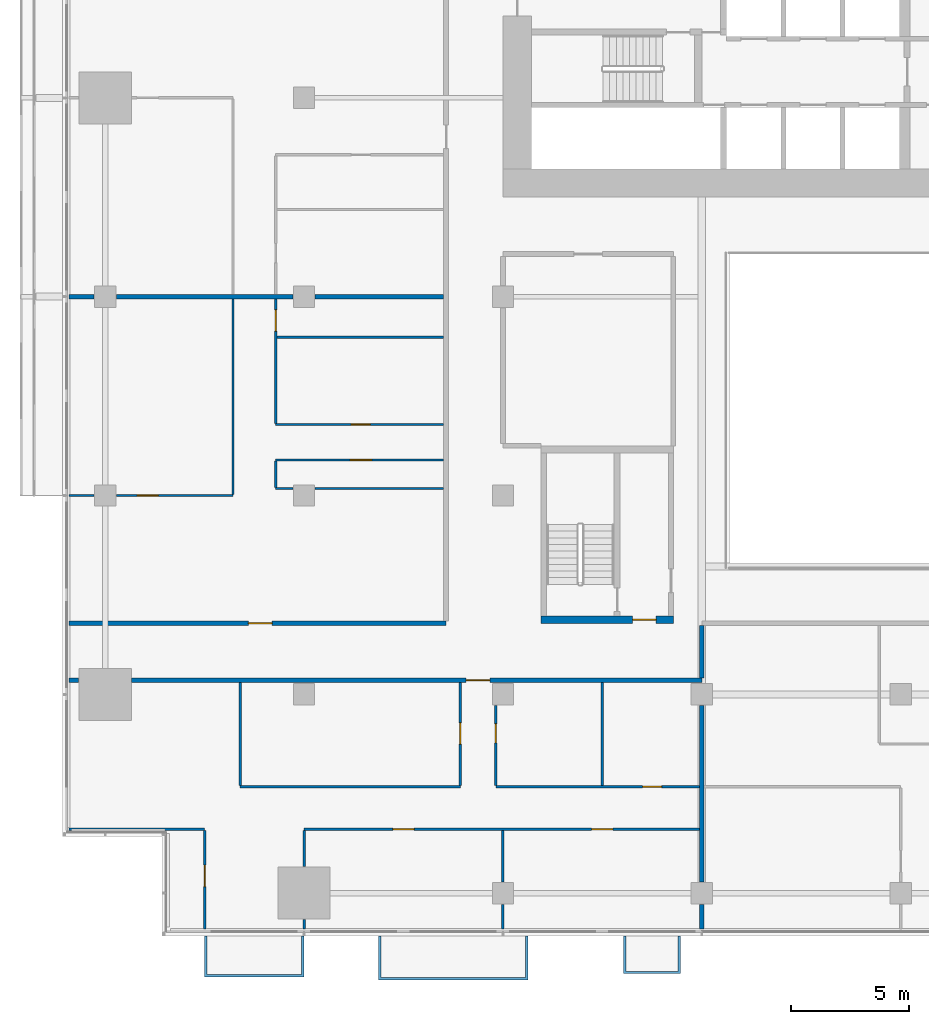
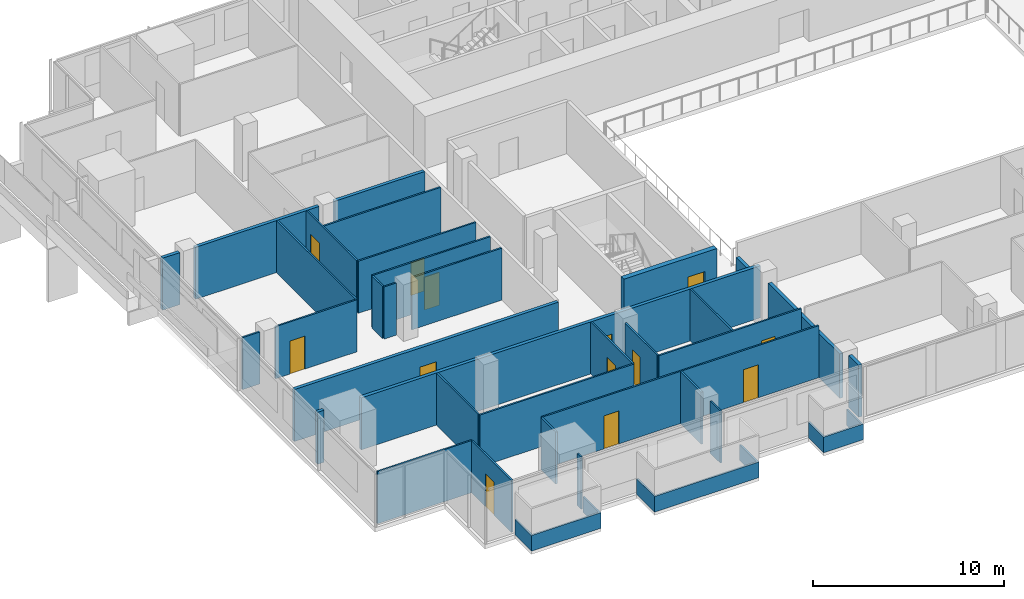
# One storey, part 18 of 28: 36 walls, 13 doors, 13 openings.
"""IFC4 building model written with IfcOpenShell, lengths in metres."""

from ifc_helpers import new_model, si_unit, direction, frame, frame_2d, origin, place, context, subcontext, project, spatial, polyline, rectangle, outline, extrude, material, layer, layer_set, type_object, element, fill, save


model = new_model("IFC4")

# Units and contexts
model_context = context("Model", 3, precision=1e-05, world=origin(), true_north=direction((0.0, 1.0)))
body_context = subcontext(model_context, "Body", "Model", "MODEL_VIEW")
ifc_project = project(units=[si_unit("LENGTHUNIT", "METRE"), si_unit("AREAUNIT", "SQUARE_METRE"), si_unit("VOLUMEUNIT", "CUBIC_METRE"), si_unit("PLANEANGLEUNIT", "RADIAN"), si_unit("MASSUNIT", "GRAM", prefix="KILO")], contexts=[model_context])

# Site, building, storey
site_placement = place(None, origin())
site = spatial("IfcSite", under=ifc_project, at=site_placement, CompositionType="ELEMENT")
building_placement = place(site_placement, origin())
building = spatial("IfcBuilding", under=site, at=building_placement, Name="Saffron Gate Tower", CompositionType="ELEMENT")
storey_placement = place(building_placement, frame((0.0, 0.0, 51.60009765625)))
storey = spatial("IfcBuildingStorey", under=building, at=storey_placement, Name="L11", CompositionType="ELEMENT", Elevation=51.60009765625)

# Wall, opening, door
ifc_material_1 = material(Name="Concrete C70", Category="concrete")
ifc_layer_1 = layer(ifc_material_1, 0.300048828125)
ifc_layer_set_1 = layer_set([ifc_layer_1], Name="CW5 RC core wall 300 C70")
wall_type_1 = type_object("IfcWallType", Name="CW5 RC core wall 300 C70", PredefinedType="SOLIDWALL", material=ifc_layer_set_1)
wall_1_placement = place(storey_placement, frame((68.199951171875, 43.35009765625, 0.0), z_axis=(0.0, 0.0, 1.0), x_axis=(1.0, 0.0, 0.0)))
wall_1 = element("IfcWall", 1, at=wall_1_placement, inside=storey, type_object=wall_type_1, Name="Wall CW5-L11-D-1", PredefinedType="SOLIDWALL", context=body_context, shape_type="SweptSolid", body=[
    extrude(rectangle(XDim=5.60009765625, YDim=0.300048828125, at=frame_2d((2.800048828125, 0.0))), origin(), (0.0, 0.0, 1.0), 3.31982421875),
])
opening_1_placement = place(wall_1_placement, frame((3.875, 0.0, 0.0)))
opening_1 = element("IfcOpeningElement", 2, at=opening_1_placement, cuts=wall_1, Name="Opening CR-18", PredefinedType="OPENING", context=body_context, shape_type="SweptSolid", body=[
    extrude(rectangle(XDim=1.0, YDim=2.10009765625, at=frame_2d((0.5, 1.050048828125))), frame((0.0, 0.16015625, 0.0), z_axis=(0.0, -1.0, 0.0), x_axis=(1.0, 0.0, 0.0)), (0.0, 0.0, 1.0), 0.320068359375),
])
ifc_material_2 = material(Name="Steel fire door set", Category="steel")
door_type_1 = type_object("IfcDoorType", Name="CD4 Lobby door 1000x2100 EI 120", OperationType="NOTDEFINED", PredefinedType="DOOR", material=ifc_material_2)
door_1_placement = place(opening_1_placement, origin())
door_1 = element("IfcDoor", 3, at=door_1_placement, inside=storey, type_object=door_type_1, Name="DOOR CR-18", OperationType="SINGLE_SWING_RIGHT", OverallHeight=2.10009765625, OverallWidth=1.0, PredefinedType="DOOR", context=body_context, shape_type="SweptSolid", body=[
    extrude(rectangle(XDim=1.0, YDim=2.10009765625, at=frame_2d((0.5, 1.050048828125))), frame((0.0, 0.02490234375, 0.0), z_axis=(0.0, -1.0, 0.0), x_axis=(1.0, 0.0, 0.0)), (0.0, 0.0, 1.0), 0.050048828125),
])
fill(opening_1, door_1)

# Wall
ifc_material_3 = material(Name="Plasterboard on steel studs", Category="steel")
ifc_layer_2 = layer(ifc_material_3, 0.10009765625)
ifc_layer_set_2 = layer_set([ifc_layer_2], Name="PW1 Partition 100")
wall_type_2 = type_object("IfcWallType", Name="PW1 Partition 100", PredefinedType="PARTITIONING", material=ifc_layer_set_2)
wall_2_placement = place(storey_placement, frame((48.280029296875, 34.5, 0.0), z_axis=(0.0, 0.0, 1.0), x_axis=(1.0, 0.0, 0.0)))
element("IfcWall", 4, at=wall_2_placement, inside=storey, type_object=wall_type_2, Name="Partition A2-1", PredefinedType="PARTITIONING", context=body_context, shape_type="SweptSolid", body=[
    extrude(rectangle(XDim=5.719970703125, YDim=0.10009765625, at=frame_2d((2.85986328125, 0.0))), origin(), (0.0, 0.0, 1.0), 3.31982421875),
])

# Wall, openings, doors
wall_3_placement = place(storey_placement, frame((74.89990234375, 34.5, 0.0), z_axis=(0.0, 0.0, 1.0), x_axis=(-1.0, 0.0, 0.0)))
wall_3 = element("IfcWall", 5, at=wall_3_placement, inside=storey, type_object=wall_type_2, Name="Partition A2-2", PredefinedType="PARTITIONING", context=body_context, shape_type="SweptSolid", body=[
    extrude(rectangle(XDim=16.699951171875, YDim=0.10009765625, at=frame_2d((8.35009765625, 0.0))), origin(), (0.0, 0.0, 1.0), 3.31982421875),
])
opening_2_placement = place(wall_3_placement, frame((3.64990234375, 0.0, 0.0)))
opening_2 = element("IfcOpeningElement", 6, at=opening_2_placement, cuts=wall_3, Name="Opening A2-10", PredefinedType="OPENING", context=body_context, shape_type="SweptSolid", body=[
    extrude(rectangle(XDim=0.89990234375, YDim=2.10009765625, at=frame_2d((0.449951171875, 1.050048828125))), frame((0.0, 0.06005859375, 0.0), z_axis=(0.0, -1.0, 0.0), x_axis=(1.0, 0.0, 0.0)), (0.0, 0.0, 1.0), 0.1201171875),
])
opening_3_placement = place(wall_3_placement, frame((12.050048828125, 0.0, 0.0)))
opening_3 = element("IfcOpeningElement", 7, at=opening_3_placement, cuts=wall_3, Name="Opening A2-9", PredefinedType="OPENING", context=body_context, shape_type="SweptSolid", body=[
    extrude(rectangle(XDim=0.89990234375, YDim=2.10009765625, at=frame_2d((0.449951171875, 1.050048828125))), frame((0.0, 0.06005859375, 0.0), z_axis=(0.0, -1.0, 0.0), x_axis=(1.0, 0.0, 0.0)), (0.0, 0.0, 1.0), 0.1201171875),
])
ifc_material_4 = material(Name="Timber door set", Category="wood")
door_type_2 = type_object("IfcDoorType", Name="RD1 Room door 900x2100", OperationType="NOTDEFINED", PredefinedType="DOOR", material=ifc_material_4)
door_2_placement = place(opening_2_placement, origin())
door_2 = element("IfcDoor", 8, at=door_2_placement, inside=storey, type_object=door_type_2, Name="Door A2-10", OperationType="SINGLE_SWING_LEFT", OverallHeight=2.10009765625, OverallWidth=0.89990234375, PredefinedType="DOOR", context=body_context, shape_type="SweptSolid", body=[
    extrude(rectangle(XDim=0.89990234375, YDim=2.10009765625, at=frame_2d((0.449951171875, 1.050048828125))), frame((0.0, 0.02490234375, 0.0), z_axis=(0.0, -1.0, 0.0), x_axis=(1.0, 0.0, 0.0)), (0.0, 0.0, 1.0), 0.050048828125),
])
fill(opening_2, door_2)
door_3_placement = place(opening_3_placement, origin())
door_3 = element("IfcDoor", 9, at=door_3_placement, inside=storey, type_object=door_type_2, Name="Door A2-9", OperationType="SINGLE_SWING_RIGHT", OverallHeight=2.10009765625, OverallWidth=0.89990234375, PredefinedType="DOOR", context=body_context, shape_type="SweptSolid", body=[
    extrude(rectangle(XDim=0.89990234375, YDim=2.10009765625, at=frame_2d((0.449951171875, 1.050048828125))), frame((0.0, 0.02490234375, 0.0), z_axis=(0.0, -1.0, 0.0), x_axis=(1.0, 0.0, 0.0)), (0.0, 0.0, 1.0), 0.050048828125),
])
fill(opening_3, door_3)

# Walls
wall_4_placement = place(storey_placement, frame((55.5, 36.300048828125, 0.0), z_axis=(0.0, 0.0, 1.0), x_axis=(1.0, 0.0, 0.0)))
element("IfcWall", 10, at=wall_4_placement, inside=storey, type_object=wall_type_2, Name="Partition A2-5", PredefinedType="PARTITIONING", context=body_context, shape_type="SweptSolid", body=[
    extrude(rectangle(XDim=9.300048828125, YDim=0.10009765625, at=frame_2d((4.64990234375, 0.0))), origin(), (0.0, 0.0, 1.0), 3.31982421875),
])
wall_5_placement = place(storey_placement, frame((48.280029296875, 48.60009765625, 0.0), z_axis=(0.0, 0.0, 1.0), x_axis=(1.0, 0.0, 0.0)))
element("IfcWall", 11, at=wall_5_placement, inside=storey, type_object=wall_type_2, Name="Partition A2-17", PredefinedType="PARTITIONING", context=body_context, shape_type="SweptSolid", body=[
    extrude(rectangle(XDim=1.050048828125, YDim=0.10009765625, at=frame_2d((0.52490234375, 0.0))), origin(), (0.0, 0.0, 1.0), 3.31982421875),
])

# Wall, opening, door
wall_6_placement = place(storey_placement, frame((50.27001953125, 48.60009765625, 0.0), z_axis=(0.0, 0.0, 1.0), x_axis=(1.0, 0.0, 0.0)))
wall_6 = element("IfcWall", 12, at=wall_6_placement, inside=storey, type_object=wall_type_2, Name="Partition A2-18", PredefinedType="PARTITIONING", context=body_context, shape_type="SweptSolid", body=[
    extrude(rectangle(XDim=4.929931640625, YDim=0.10009765625, at=frame_2d((2.46484375, 0.0))), origin(), (0.0, 0.0, 1.0), 3.31982421875),
])
opening_4_placement = place(wall_6_placement, frame((0.8798828125, 0.0, 0.0)))
opening_4 = element("IfcOpeningElement", 13, at=opening_4_placement, cuts=wall_6, Name="Opening A2-21", PredefinedType="OPENING", context=body_context, shape_type="SweptSolid", body=[
    extrude(rectangle(XDim=0.89990234375, YDim=2.10009765625, at=frame_2d((0.449951171875, 1.050048828125))), frame((0.0, 0.06005859375, 0.0), z_axis=(0.0, -1.0, 0.0), x_axis=(1.0, 0.0, 0.0)), (0.0, 0.0, 1.0), 0.1201171875),
])
door_4_placement = place(opening_4_placement, origin())
door_4 = element("IfcDoor", 14, at=door_4_placement, inside=storey, type_object=door_type_2, Name="Door A2-21", OperationType="SINGLE_SWING_LEFT", OverallHeight=2.10009765625, OverallWidth=0.89990234375, PredefinedType="DOOR", context=body_context, shape_type="SweptSolid", body=[
    extrude(rectangle(XDim=0.89990234375, YDim=2.10009765625, at=frame_2d((0.449951171875, 1.050048828125))), frame((0.0, 0.02490234375, 0.0), z_axis=(0.0, -1.0, 0.0), x_axis=(1.0, 0.0, 0.0)), (0.0, 0.0, 1.0), 0.050048828125),
])
fill(opening_4, door_4)

# Walls
wall_7_placement = place(storey_placement, frame((57.0, 48.894287109375, 0.0), z_axis=(0.0, 0.0, 1.0), x_axis=(1.0, 0.0, 0.0)))
element("IfcWall", 15, at=wall_7_placement, inside=storey, type_object=wall_type_2, Name="Partition A2-21", PredefinedType="PARTITIONING", context=body_context, shape_type="SweptSolid", body=[
    extrude(rectangle(XDim=0.72998046875, YDim=0.10009765625, at=frame_2d((0.364990234375, 0.0))), origin(), (0.0, 0.0, 1.0), 3.31982421875),
])
wall_8_placement = place(storey_placement, frame((58.669921875, 48.894287109375, 0.0), z_axis=(0.0, 0.0, 1.0), x_axis=(1.0, 0.0, 0.0)))
element("IfcWall", 16, at=wall_8_placement, inside=storey, type_object=wall_type_2, Name="Partition A2-22", PredefinedType="PARTITIONING", context=body_context, shape_type="SweptSolid", body=[
    extrude(rectangle(XDim=5.43017578125, YDim=0.10009765625, at=frame_2d((2.715087890625, 0.0))), origin(), (0.0, 0.0, 1.0), 3.31982421875),
])

# Wall, opening, door
wall_9_placement = place(storey_placement, frame((64.10009765625, 50.10009765625, 0.0), z_axis=(0.0, 0.0, 1.0), x_axis=(-1.0, 0.0, 0.0)))
wall_9 = element("IfcWall", 17, at=wall_9_placement, inside=storey, type_object=wall_type_2, Name="Partition A2-23", PredefinedType="PARTITIONING", context=body_context, shape_type="SweptSolid", body=[
    extrude(rectangle(XDim=7.10009765625, YDim=0.10009765625, at=frame_2d((3.550048828125, 0.0))), origin(), (0.0, 0.0, 1.0), 3.31982421875),
])
opening_5_placement = place(wall_9_placement, frame((3.050048828125, 0.0, 0.0)))
opening_5 = element("IfcOpeningElement", 18, at=opening_5_placement, cuts=wall_9, Name="Opening A2-22", PredefinedType="OPENING", context=body_context, shape_type="SweptSolid", body=[
    extrude(rectangle(XDim=0.89990234375, YDim=2.10009765625, at=frame_2d((0.449951171875, 1.050048828125))), frame((0.0, 0.06005859375, 0.0), z_axis=(0.0, -1.0, 0.0), x_axis=(1.0, 0.0, 0.0)), (0.0, 0.0, 1.0), 0.1201171875),
])
door_5_placement = place(opening_5_placement, origin())
door_5 = element("IfcDoor", 19, at=door_5_placement, inside=storey, type_object=door_type_2, Name="Door A2-22", OperationType="SINGLE_SWING_LEFT", OverallHeight=2.10009765625, OverallWidth=0.89990234375, PredefinedType="DOOR", context=body_context, shape_type="SweptSolid", body=[
    extrude(rectangle(XDim=0.89990234375, YDim=2.10009765625, at=frame_2d((0.449951171875, 1.050048828125))), frame((0.0, 0.02490234375, 0.0), z_axis=(0.0, -1.0, 0.0), x_axis=(1.0, 0.0, 0.0)), (0.0, 0.0, 1.0), 0.050048828125),
])
fill(opening_5, door_5)

wall_10_placement = place(storey_placement, frame((57.0, 51.60009765625, 0.0), z_axis=(0.0, 0.0, 1.0), x_axis=(1.0, 0.0, 0.0)))
wall_10 = element("IfcWall", 20, at=wall_10_placement, inside=storey, type_object=wall_type_2, Name="Partition A2-26", PredefinedType="PARTITIONING", context=body_context, shape_type="SweptSolid", body=[
    extrude(rectangle(XDim=7.10009765625, YDim=0.10009765625, at=frame_2d((3.550048828125, 0.0))), origin(), (0.0, 0.0, 1.0), 3.31982421875),
])
opening_6_placement = place(wall_10_placement, frame((3.199951171875, 0.0, 0.0)))
opening_6 = element("IfcOpeningElement", 21, at=opening_6_placement, cuts=wall_10, Name="Opening A2-39", PredefinedType="OPENING", context=body_context, shape_type="SweptSolid", body=[
    extrude(rectangle(XDim=0.800048828125, YDim=2.10009765625, at=frame_2d((0.39990234375, 1.050048828125))), frame((0.0, 0.06005859375, 0.0), z_axis=(0.0, -1.0, 0.0), x_axis=(1.0, 0.0, 0.0)), (0.0, 0.0, 1.0), 0.1201171875),
])
door_type_3 = type_object("IfcDoorType", Name="RD2 Bathroom door 800x2100", OperationType="NOTDEFINED", PredefinedType="DOOR", material=ifc_material_4)
door_6_placement = place(opening_6_placement, origin())
door_6 = element("IfcDoor", 22, at=door_6_placement, inside=storey, type_object=door_type_3, Name="Door A2-39", OperationType="SINGLE_SWING_RIGHT", OverallHeight=2.10009765625, OverallWidth=0.800048828125, PredefinedType="DOOR", context=body_context, shape_type="SweptSolid", body=[
    extrude(rectangle(XDim=0.800048828125, YDim=2.10009765625, at=frame_2d((0.39990234375, 1.050048828125))), frame((0.0, 0.02490234375, 0.0), z_axis=(0.0, -1.0, 0.0), x_axis=(1.0, 0.0, 0.0)), (0.0, 0.0, 1.0), 0.050048828125),
])
fill(opening_6, door_6)

# Wall
wall_11_placement = place(storey_placement, frame((57.050048828125, 55.280517578125, 0.0), z_axis=(0.0, 0.0, 1.0), x_axis=(1.0, 0.0, 0.0)))
element("IfcWall", 23, at=wall_11_placement, inside=storey, type_object=wall_type_2, Name="Partition A2-28", PredefinedType="PARTITIONING", context=body_context, shape_type="SweptSolid", body=[
    extrude(rectangle(XDim=7.050048828125, YDim=0.10009765625, at=frame_2d((3.52490234375, 0.0))), origin(), (0.0, 0.0, 1.0), 3.31982421875),
])

# Wall, opening, door
wall_12_placement = place(storey_placement, frame((54.0, 30.280029296875, 0.0), z_axis=(0.0, 0.0, 1.0), x_axis=(0.0, 1.0, 0.0)))
wall_12 = element("IfcWall", 24, at=wall_12_placement, inside=storey, type_object=wall_type_2, Name="Partition A2-52", PredefinedType="PARTITIONING", context=body_context, shape_type="SweptSolid", body=[
    extrude(rectangle(XDim=4.169921875, YDim=0.10009765625, at=frame_2d((2.0849609375, 0.0))), origin(), (0.0, 0.0, 1.0), 3.31982421875),
])
opening_7_placement = place(wall_12_placement, frame((1.802734375, 0.0, 0.0)))
opening_7 = element("IfcOpeningElement", 25, at=opening_7_placement, cuts=wall_12, Name="Opening A2-8", PredefinedType="OPENING", context=body_context, shape_type="SweptSolid", body=[
    extrude(rectangle(XDim=0.89990234375, YDim=2.10009765625, at=frame_2d((0.449951171875, 1.050048828125))), frame((0.0, 0.06005859375, 0.0), z_axis=(0.0, -1.0, 0.0), x_axis=(1.0, 0.0, 0.0)), (0.0, 0.0, 1.0), 0.1201171875),
])
door_7_placement = place(opening_7_placement, origin())
door_7 = element("IfcDoor", 26, at=door_7_placement, inside=storey, type_object=door_type_2, Name="Door A2-8", OperationType="SINGLE_SWING_RIGHT", OverallHeight=2.10009765625, OverallWidth=0.89990234375, PredefinedType="DOOR", context=body_context, shape_type="SweptSolid", body=[
    extrude(rectangle(XDim=0.89990234375, YDim=2.10009765625, at=frame_2d((0.449951171875, 1.050048828125))), frame((0.0, 0.02490234375, 0.0), z_axis=(0.0, -1.0, 0.0), x_axis=(1.0, 0.0, 0.0)), (0.0, 0.0, 1.0), 0.050048828125),
])
fill(opening_7, door_7)

# Walls
wall_13_placement = place(storey_placement, frame((55.5, 40.699951171875, 0.0), z_axis=(0.0, 0.0, 1.0), x_axis=(0.0, -1.0, 0.0)))
element("IfcWall", 27, at=wall_13_placement, inside=storey, type_object=wall_type_2, Name="Partition A2-54", PredefinedType="PARTITIONING", context=body_context, shape_type="SweptSolid", body=[
    extrude(rectangle(XDim=4.349853515625, YDim=0.10009765625, at=frame_2d((2.1748046875, 0.0))), origin(), (0.0, 0.0, 1.0), 3.31982421875),
])
wall_14_placement = place(storey_placement, frame((57.0, 50.050048828125, 0.0), z_axis=(0.0, 0.0, 1.0), x_axis=(0.0, -1.0, 0.0)))
element("IfcWall", 28, at=wall_14_placement, inside=storey, type_object=wall_type_2, Name="Partition A2-55", PredefinedType="PARTITIONING", context=body_context, shape_type="SweptSolid", body=[
    extrude(rectangle(XDim=1.105712890625, YDim=0.10009765625, at=frame_2d((0.552734375, 0.0))), origin(), (0.0, 0.0, 1.0), 3.31982421875),
])
wall_15_placement = place(storey_placement, frame((58.199951171875, 30.679931640625, 0.0), z_axis=(0.0, 0.0, 1.0), x_axis=(0.0, -1.0, 0.0)))
element("IfcWall", 29, at=wall_15_placement, inside=storey, type_object=wall_type_2, Name="Partition A2-57", PredefinedType="PARTITIONING", context=body_context, shape_type="SweptSolid", body=[
    extrude(rectangle(XDim=0.39990234375, YDim=0.10009765625, at=frame_2d((0.199951171875, 0.0))), origin(), (0.0, 0.0, 1.0), 3.31982421875),
])
wall_16_placement = place(storey_placement, frame((58.199951171875, 34.449951171875, 0.0), z_axis=(0.0, 0.0, 1.0), x_axis=(0.0, -1.0, 0.0)))
element("IfcWall", 30, at=wall_16_placement, inside=storey, type_object=wall_type_2, Name="Partition A2-58", PredefinedType="PARTITIONING", context=body_context, shape_type="SweptSolid", body=[
    extrude(rectangle(XDim=1.530029296875, YDim=0.10009765625, at=frame_2d((0.76513671875, 0.0))), origin(), (0.0, 0.0, 1.0), 3.31982421875),
])

# Wall, opening, door
wall_17_placement = place(storey_placement, frame((64.800048828125, 36.35009765625, 0.0), z_axis=(0.0, 0.0, 1.0), x_axis=(0.0, 1.0, 0.0)))
wall_17 = element("IfcWall", 31, at=wall_17_placement, inside=storey, type_object=wall_type_2, Name="Partition A2-60", PredefinedType="PARTITIONING", context=body_context, shape_type="SweptSolid", body=[
    extrude(rectangle(XDim=4.349853515625, YDim=0.10009765625, at=frame_2d((2.1748046875, 0.0))), origin(), (0.0, 0.0, 1.0), 3.31982421875),
])
opening_8_placement = place(wall_17_placement, frame((1.75, 0.0, 0.0)))
opening_8 = element("IfcOpeningElement", 32, at=opening_8_placement, cuts=wall_17, Name="Opening A2-11", PredefinedType="OPENING", context=body_context, shape_type="SweptSolid", body=[
    extrude(rectangle(XDim=0.89990234375, YDim=2.10009765625, at=frame_2d((0.449951171875, 1.050048828125))), frame((0.0, 0.06005859375, 0.0), z_axis=(0.0, -1.0, 0.0), x_axis=(1.0, 0.0, 0.0)), (0.0, 0.0, 1.0), 0.1201171875),
])
door_8_placement = place(opening_8_placement, origin())
door_8 = element("IfcDoor", 33, at=door_8_placement, inside=storey, type_object=door_type_2, Name="Door A2-11", OperationType="SINGLE_SWING_RIGHT", OverallHeight=2.10009765625, OverallWidth=0.89990234375, PredefinedType="DOOR", context=body_context, shape_type="SweptSolid", body=[
    extrude(rectangle(XDim=0.89990234375, YDim=2.10009765625, at=frame_2d((0.449951171875, 1.050048828125))), frame((0.0, 0.02490234375, 0.0), z_axis=(0.0, -1.0, 0.0), x_axis=(1.0, 0.0, 0.0)), (0.0, 0.0, 1.0), 0.050048828125),
])
fill(opening_8, door_8)

wall_18_placement = place(storey_placement, frame((66.300048828125, 39.72998046875, 0.0), z_axis=(0.0, 0.0, 1.0), x_axis=(0.0, -1.0, 0.0)))
wall_18 = element("IfcWall", 34, at=wall_18_placement, inside=storey, type_object=wall_type_2, Name="Partition A2-61", PredefinedType="PARTITIONING", context=body_context, shape_type="SweptSolid", body=[
    extrude(rectangle(XDim=3.3798828125, YDim=0.10009765625, at=frame_2d((1.68994140625, 0.0))), origin(), (0.0, 0.0, 1.0), 3.31982421875),
])
opening_9_placement = place(wall_18_placement, frame((0.780029296875, 0.0, 0.0)))
opening_9 = element("IfcOpeningElement", 35, at=opening_9_placement, cuts=wall_18, Name="Opening A2-33", PredefinedType="OPENING", context=body_context, shape_type="SweptSolid", body=[
    extrude(rectangle(XDim=0.800048828125, YDim=2.10009765625, at=frame_2d((0.39990234375, 1.050048828125))), frame((0.0, 0.06005859375, 0.0), z_axis=(0.0, -1.0, 0.0), x_axis=(1.0, 0.0, 0.0)), (0.0, 0.0, 1.0), 0.1201171875),
])
door_9_placement = place(opening_9_placement, origin())
door_9 = element("IfcDoor", 36, at=door_9_placement, inside=storey, type_object=door_type_3, Name="Door A2-33", OperationType="SINGLE_SWING_LEFT", OverallHeight=2.10009765625, OverallWidth=0.800048828125, PredefinedType="DOOR", context=body_context, shape_type="SweptSolid", body=[
    extrude(rectangle(XDim=0.800048828125, YDim=2.10009765625, at=frame_2d((0.39990234375, 1.050048828125))), frame((0.0, 0.02490234375, 0.0), z_axis=(0.0, -1.0, 0.0), x_axis=(1.0, 0.0, 0.0)), (0.0, 0.0, 1.0), 0.050048828125),
])
fill(opening_9, door_9)

# Walls
wall_19_placement = place(storey_placement, frame((66.60009765625, 31.330078125, 0.0), z_axis=(0.0, 0.0, 1.0), x_axis=(0.0, -1.0, 0.0)))
element("IfcWall", 37, at=wall_19_placement, inside=storey, type_object=wall_type_2, Name="Partition A2-64", PredefinedType="PARTITIONING", context=body_context, shape_type="SweptSolid", body=[
    extrude(rectangle(XDim=1.050048828125, YDim=0.10009765625, at=frame_2d((0.52490234375, 0.0))), origin(), (0.0, 0.0, 1.0), 3.31982421875),
])
wall_20_placement = place(storey_placement, frame((66.60009765625, 34.449951171875, 0.0), z_axis=(0.0, 0.0, 1.0), x_axis=(0.0, -1.0, 0.0)))
element("IfcWall", 38, at=wall_20_placement, inside=storey, type_object=wall_type_2, Name="Partition A2-65", PredefinedType="PARTITIONING", context=body_context, shape_type="SweptSolid", body=[
    extrude(rectangle(XDim=2.179931640625, YDim=0.10009765625, at=frame_2d((1.08984375, 0.0))), origin(), (0.0, 0.0, 1.0), 3.31982421875),
])
wall_21_placement = place(storey_placement, frame((70.800048828125, 40.699951171875, 0.0), z_axis=(0.0, 0.0, 1.0), x_axis=(0.0, -1.0, 0.0)))
element("IfcWall", 39, at=wall_21_placement, inside=storey, type_object=wall_type_2, Name="Partition A2-66", PredefinedType="PARTITIONING", context=body_context, shape_type="SweptSolid", body=[
    extrude(rectangle(XDim=4.349853515625, YDim=0.10009765625, at=frame_2d((2.1748046875, 0.0))), origin(), (0.0, 0.0, 1.0), 3.31982421875),
])

# Wall, opening, door
wall_22_placement = place(storey_placement, frame((66.300048828125, 36.300048828125, 0.0), z_axis=(0.0, 0.0, 1.0), x_axis=(1.0, 0.0, 0.0)))
wall_22 = element("IfcWall", 40, at=wall_22_placement, inside=storey, type_object=wall_type_2, Name="Partition A2-99", PredefinedType="PARTITIONING", context=body_context, shape_type="SweptSolid", body=[
    extrude(rectangle(XDim=8.599853515625, YDim=0.10009765625, at=frame_2d((4.2998046875, 0.0))), origin(), (0.0, 0.0, 1.0), 3.31982421875),
])
opening_10_placement = place(wall_22_placement, frame((6.199951171875, 0.0, 0.0)))
opening_10 = element("IfcOpeningElement", 41, at=opening_10_placement, cuts=wall_22, Name="Opening A2-34", PredefinedType="OPENING", context=body_context, shape_type="SweptSolid", body=[
    extrude(rectangle(XDim=0.800048828125, YDim=2.10009765625, at=frame_2d((0.39990234375, 1.050048828125))), frame((0.0, 0.06005859375, 0.0), z_axis=(0.0, -1.0, 0.0), x_axis=(1.0, 0.0, 0.0)), (0.0, 0.0, 1.0), 0.1201171875),
])
door_10_placement = place(opening_10_placement, origin())
door_10 = element("IfcDoor", 42, at=door_10_placement, inside=storey, type_object=door_type_3, Name="Door A2-34", OperationType="SINGLE_SWING_RIGHT", OverallHeight=2.10009765625, OverallWidth=0.800048828125, PredefinedType="DOOR", context=body_context, shape_type="SweptSolid", body=[
    extrude(rectangle(XDim=0.800048828125, YDim=2.10009765625, at=frame_2d((0.39990234375, 1.050048828125))), frame((0.0, 0.02490234375, 0.0), z_axis=(0.0, -1.0, 0.0), x_axis=(1.0, 0.0, 0.0)), (0.0, 0.0, 1.0), 0.050048828125),
])
fill(opening_10, door_10)

# Wall
wall_23_placement = place(storey_placement, frame((55.199951171875, 56.89990234375, 0.0), z_axis=(0.0, 0.0, 1.0), x_axis=(0.0, -1.0, 0.0)))
element("IfcWall", 43, at=wall_23_placement, inside=storey, type_object=wall_type_2, Name="Partition A2-103", PredefinedType="PARTITIONING", context=body_context, shape_type="SweptSolid", body=[
    extrude(rectangle(XDim=8.25, YDim=0.10009765625, at=frame_2d((4.125, 0.0))), origin(), (0.0, 0.0, 1.0), 3.31982421875),
])

# Wall, opening, door
wall_24_placement = place(storey_placement, frame((57.0, 56.89990234375, 0.0), z_axis=(0.0, 0.0, 1.0), x_axis=(0.0, -1.0, 0.0)))
wall_24 = element("IfcWall", 44, at=wall_24_placement, inside=storey, type_object=wall_type_2, Name="Partition A2-105", PredefinedType="PARTITIONING", context=body_context, shape_type="SweptSolid", body=[
    extrude(rectangle(XDim=5.25, YDim=0.10009765625, at=frame_2d((2.625, 0.0))), origin(), (0.0, 0.0, 1.0), 3.31982421875),
])
opening_11_placement = place(wall_24_placement, frame((0.459716796875, 0.0, 0.0)))
opening_11 = element("IfcOpeningElement", 45, at=opening_11_placement, cuts=wall_24, Name="Opening A2-23", PredefinedType="OPENING", context=body_context, shape_type="SweptSolid", body=[
    extrude(rectangle(XDim=0.89990234375, YDim=2.10009765625, at=frame_2d((0.449951171875, 1.050048828125))), frame((0.0, 0.06005859375, 0.0), z_axis=(0.0, -1.0, 0.0), x_axis=(1.0, 0.0, 0.0)), (0.0, 0.0, 1.0), 0.1201171875),
])
door_11_placement = place(opening_11_placement, origin())
door_11 = element("IfcDoor", 46, at=door_11_placement, inside=storey, type_object=door_type_2, Name="Door A2-23", OperationType="SINGLE_SWING_RIGHT", OverallHeight=2.10009765625, OverallWidth=0.89990234375, PredefinedType="DOOR", context=body_context, shape_type="SweptSolid", body=[
    extrude(rectangle(XDim=0.89990234375, YDim=2.10009765625, at=frame_2d((0.449951171875, 1.050048828125))), frame((0.0, 0.02490234375, 0.0), z_axis=(0.0, -1.0, 0.0), x_axis=(1.0, 0.0, 0.0)), (0.0, 0.0, 1.0), 0.050048828125),
])
fill(opening_11, door_11)

# Walls
ifc_material_5 = material(Name="Clay brick masonry, rendered", Category="masonry")
ifc_layer_3 = layer(ifc_material_5, 0.199951171875)
ifc_layer_set_3 = layer_set([ifc_layer_3], Name="PW2 Demising wall 200")
wall_type_3 = type_object("IfcWallType", Name="PW2 Demising wall 200", PredefinedType="PARTITIONING", material=ifc_layer_set_3)
wall_25_placement = place(storey_placement, frame((48.280029296875, 57.0, 0.0), z_axis=(0.0, 0.0, 1.0), x_axis=(1.0, 0.0, 0.0)))
element("IfcWall", 47, at=wall_25_placement, inside=storey, type_object=wall_type_3, Name="Wall A2-32", PredefinedType="PARTITIONING", context=body_context, shape_type="SweptSolid", body=[
    extrude(rectangle(XDim=1.050048828125, YDim=0.199951171875, at=frame_2d((0.52490234375, 0.0))), origin(), (0.0, 0.0, 1.0), 3.31982421875),
])
wall_26_placement = place(storey_placement, frame((50.27001953125, 57.0, 0.0), z_axis=(0.0, 0.0, 1.0), x_axis=(1.0, 0.0, 0.0)))
element("IfcWall", 48, at=wall_26_placement, inside=storey, type_object=wall_type_3, Name="Wall A2-33", PredefinedType="PARTITIONING", context=body_context, shape_type="SweptSolid", body=[
    extrude(rectangle(XDim=7.4599609375, YDim=0.199951171875, at=frame_2d((3.72998046875, 0.0))), origin(), (0.0, 0.0, 1.0), 3.31982421875),
])
wall_27_placement = place(storey_placement, frame((58.669921875, 57.0, 0.0), z_axis=(0.0, 0.0, 1.0), x_axis=(1.0, 0.0, 0.0)))
element("IfcWall", 49, at=wall_27_placement, inside=storey, type_object=wall_type_3, Name="Wall A2-34", PredefinedType="PARTITIONING", context=body_context, shape_type="SweptSolid", body=[
    extrude(rectangle(XDim=5.43017578125, YDim=0.199951171875, at=frame_2d((2.715087890625, 0.0))), origin(), (0.0, 0.0, 1.0), 3.31982421875),
])
wall_28_placement = place(storey_placement, frame((75.0, 31.330078125, 0.0), z_axis=(0.0, 0.0, 1.0), x_axis=(0.0, -1.0, 0.0)))
element("IfcWall", 50, at=wall_28_placement, inside=storey, type_object=wall_type_3, Name="Wall A2-69", PredefinedType="PARTITIONING", context=body_context, shape_type="SweptSolid", body=[
    extrude(rectangle(XDim=1.050048828125, YDim=0.199951171875, at=frame_2d((0.52490234375, 0.0))), origin(), (0.0, 0.0, 1.0), 3.31982421875),
])
wall_29_placement = place(storey_placement, frame((75.0, 39.72998046875, 0.0), z_axis=(0.0, 0.0, 1.0), x_axis=(0.0, -1.0, 0.0)))
element("IfcWall", 51, at=wall_29_placement, inside=storey, type_object=wall_type_3, Name="Wall A2-70", PredefinedType="PARTITIONING", context=body_context, shape_type="SweptSolid", body=[
    extrude(rectangle(XDim=7.4599609375, YDim=0.199951171875, at=frame_2d((3.72998046875, 0.0))), origin(), (0.0, 0.0, 1.0), 2.829833984375),
])
ifc_layer_4 = layer(ifc_material_5, 0.199951171875)
ifc_layer_set_4 = layer_set([ifc_layer_4], Name="PW3 Corridor wall 200")
wall_type_4 = type_object("IfcWallType", Name="PW3 Corridor wall 200", PredefinedType="PARTITIONING", material=ifc_layer_set_4)
wall_30_placement = place(storey_placement, frame((48.280029296875, 40.800048828125, 0.0), z_axis=(0.0, 0.0, 1.0), x_axis=(1.0, 0.0, 0.0)))
element("IfcWall", 52, at=wall_30_placement, inside=storey, type_object=wall_type_4, Name="Wall A2-9", PredefinedType="PARTITIONING", context=body_context, shape_type="SweptSolid", body=[
    extrude(rectangle(XDim=0.39990234375, YDim=0.199951171875, at=frame_2d((0.199951171875, 0.0))), origin(), (0.0, 0.0, 1.0), 3.31982421875),
])

# Wall, opening, door
wall_31_placement = place(storey_placement, frame((75.0, 40.800048828125, 0.0), z_axis=(0.0, 0.0, 1.0), x_axis=(-1.0, 0.0, 0.0)))
wall_31 = element("IfcWall", 53, at=wall_31_placement, inside=storey, type_object=wall_type_4, Name="Wall A2-10", PredefinedType="PARTITIONING", context=body_context, shape_type="SweptSolid", body=[
    extrude(rectangle(XDim=24.080078125, YDim=0.199951171875, at=frame_2d((12.0400390625, 0.0))), origin(), (0.0, 0.0, 1.0), 3.31982421875),
])
opening_12_placement = place(wall_31_placement, frame((8.949951171875, 0.0, 0.0)))
opening_12 = element("IfcOpeningElement", 54, at=opening_12_placement, cuts=wall_31, Name="Opening A2-1", PredefinedType="OPENING", context=body_context, shape_type="SweptSolid", body=[
    extrude(rectangle(XDim=1.0, YDim=2.10009765625, at=frame_2d((0.5, 1.050048828125))), frame((0.0, 0.10986328125, 0.0), z_axis=(0.0, -1.0, 0.0), x_axis=(1.0, 0.0, 0.0)), (0.0, 0.0, 1.0), 0.219970703125),
])
ifc_material_6 = material(Name="Timber fire door set", Category="wood")
door_type_4 = type_object("IfcDoorType", Name="FD1 Flat entry door 1000x2100", OperationType="NOTDEFINED", PredefinedType="DOOR", material=ifc_material_6)
door_12_placement = place(opening_12_placement, origin())
door_12 = element("IfcDoor", 55, at=door_12_placement, inside=storey, type_object=door_type_4, Name="Door A2-1", OperationType="SINGLE_SWING_LEFT", OverallHeight=2.10009765625, OverallWidth=1.0, PredefinedType="DOOR", context=body_context, shape_type="SweptSolid", body=[
    extrude(rectangle(XDim=1.0, YDim=2.10009765625, at=frame_2d((0.5, 1.050048828125))), frame((0.0, 0.02490234375, 0.0), z_axis=(0.0, -1.0, 0.0), x_axis=(1.0, 0.0, 0.0)), (0.0, 0.0, 1.0), 0.050048828125),
])
fill(opening_12, door_12)

wall_32_placement = place(storey_placement, frame((48.280029296875, 43.199951171875, 0.0), z_axis=(0.0, 0.0, 1.0), x_axis=(1.0, 0.0, 0.0)))
wall_32 = element("IfcWall", 56, at=wall_32_placement, inside=storey, type_object=wall_type_4, Name="Wall A2-13", PredefinedType="PARTITIONING", context=body_context, shape_type="SweptSolid", body=[
    extrude(rectangle(XDim=15.919921875, YDim=0.199951171875, at=frame_2d((7.9599609375, 0.0))), origin(), (0.0, 0.0, 1.0), 3.31982421875),
])
opening_13_placement = place(wall_32_placement, frame((7.570068359375, 0.0, 0.0)))
opening_13 = element("IfcOpeningElement", 57, at=opening_13_placement, cuts=wall_32, Name="Opening A2-4", PredefinedType="OPENING", context=body_context, shape_type="SweptSolid", body=[
    extrude(rectangle(XDim=1.0, YDim=2.10009765625, at=frame_2d((0.5, 1.050048828125))), frame((0.0, 0.10986328125, 0.0), z_axis=(0.0, -1.0, 0.0), x_axis=(1.0, 0.0, 0.0)), (0.0, 0.0, 1.0), 0.219970703125),
])
door_13_placement = place(opening_13_placement, origin())
door_13 = element("IfcDoor", 58, at=door_13_placement, inside=storey, type_object=door_type_4, Name="Door A2-4", OperationType="SINGLE_SWING_RIGHT", OverallHeight=2.10009765625, OverallWidth=1.0, PredefinedType="DOOR", context=body_context, shape_type="SweptSolid", body=[
    extrude(rectangle(XDim=1.0, YDim=2.10009765625, at=frame_2d((0.5, 1.050048828125))), frame((0.0, 0.02490234375, 0.0), z_axis=(0.0, -1.0, 0.0), x_axis=(1.0, 0.0, 0.0)), (0.0, 0.0, 1.0), 0.050048828125),
])
fill(opening_13, door_13)

# Walls
wall_33_placement = place(storey_placement, frame((75.0, 43.10009765625, 0.0), z_axis=(0.0, 0.0, 1.0), x_axis=(0.0, -1.0, 0.0)))
element("IfcWall", 59, at=wall_33_placement, inside=storey, type_object=wall_type_4, Name="Wall A2-68", PredefinedType="PARTITIONING", context=body_context, shape_type="SweptSolid", body=[
    extrude(rectangle(XDim=2.2001953125, YDim=0.199951171875, at=frame_2d((1.10009765625, 0.0))), origin(), (0.0, 0.0, 1.0), 2.429931640625),
])
ifc_material_7 = material(Name="Rendered insulated panel, white")
ifc_layer_5 = layer(ifc_material_7, 0.10009765625)
ifc_layer_set_5 = layer_set([ifc_layer_5], Name="WB3 box parapet white")
wall_type_5 = type_object("IfcWallType", Name="WB3 box parapet white", PredefinedType="SOLIDWALL", material=ifc_layer_set_5)
wall_34_placement = place(storey_placement, origin())
element("IfcWall", 60, at=wall_34_placement, inside=storey, type_object=wall_type_5, Name="WINDOW BOX parapet", PredefinedType="SOLIDWALL", context=body_context, shape_type="SweptSolid", body=[
    extrude(outline(polyline([(54.0, 30.0), (54.10009765625, 30.0), (54.10009765625, 28.366943359375), (58.10009765625, 28.366943359375), (58.10009765625, 30.0), (58.199951171875, 30.0), (58.199951171875, 28.26708984375), (54.0, 28.26708984375), (54.0, 30.0)])), origin(), (0.0, 0.0, 1.0), 1.0),
])
wall_35_placement = place(storey_placement, origin())
element("IfcWall", 61, at=wall_35_placement, inside=storey, type_object=wall_type_5, Name="WINDOW BOX parapet", PredefinedType="SOLIDWALL", context=body_context, shape_type="SweptSolid", body=[
    extrude(outline(polyline([(61.35009765625, 30.0), (61.449951171875, 30.0), (61.449951171875, 28.23291015625), (67.550048828125, 28.23291015625), (67.550048828125, 30.0), (67.64990234375, 30.0), (67.64990234375, 28.133056640625), (61.35009765625, 28.133056640625), (61.35009765625, 30.0)])), origin(), (0.0, 0.0, 1.0), 1.0),
])
wall_36_placement = place(storey_placement, origin())
element("IfcWall", 62, at=wall_36_placement, inside=storey, type_object=wall_type_5, Name="WINDOW BOX parapet", PredefinedType="SOLIDWALL", context=body_context, shape_type="SweptSolid", body=[
    extrude(outline(polyline([(71.699951171875, 30.0), (71.800048828125, 30.0), (71.800048828125, 28.5), (74.0, 28.5), (74.0, 30.0), (74.10009765625, 30.0), (74.10009765625, 28.39990234375), (71.699951171875, 28.39990234375), (71.699951171875, 30.0)])), origin(), (0.0, 0.0, 1.0), 1.0),
])

save(model, "model.ifc")
